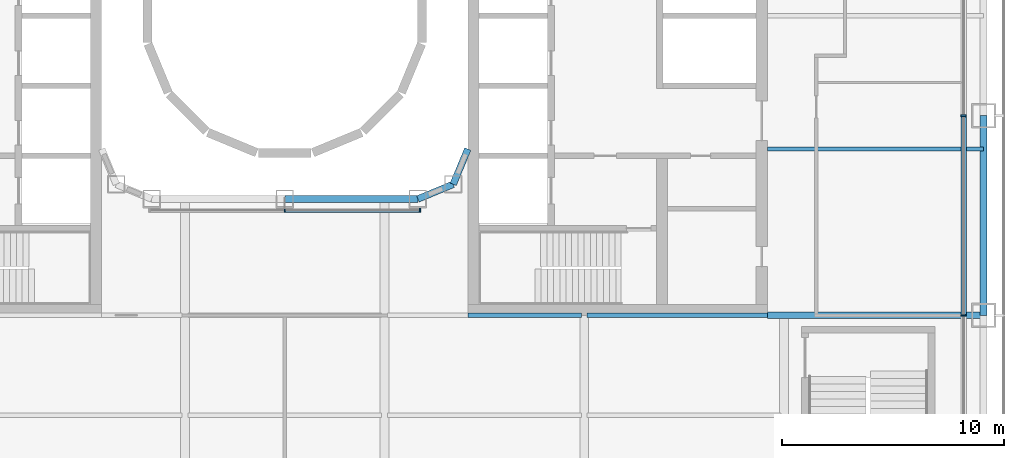
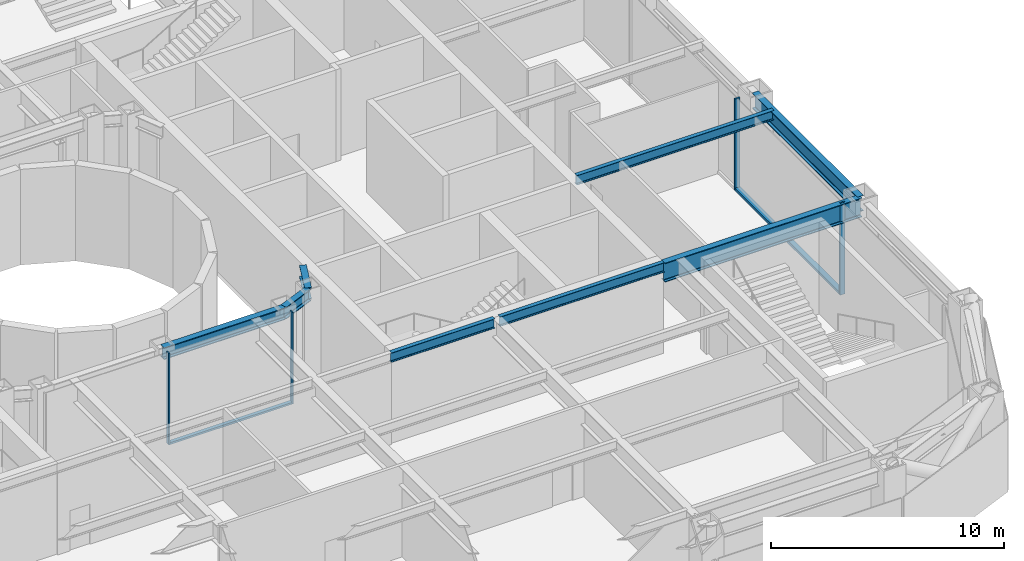
# One storey, part 5 of 25: 8 beams, 6 members, 2 elements without a shape of their own.
"""IFC4 building model written with IfcOpenShell, lengths in metres."""

import ifcopenshell
import ifcopenshell.guid

model = None  # the IFC model being written
_history = None  # IfcOwnerHistory: only IFC2X3 demands one
_inside = {}  # id of a spatial element -> (the spatial element, [elements in it])
_under = {}  # id of a project, library or spatial element -> (it, [spatial elements below it])
_declared = {}  # id of a project -> (the project, [libraries it declares])
_typed = {}  # id of a type object -> (the type object, [elements of that type])
_made_of = {}  # id of a material, layer set ... -> (it, [elements and type objects made of it])


def new_model(schema):
    """Start an empty IFC model of exactly this schema.

    Asked for "IFC4X3", IfcOpenShell would pick the latest addendum, in which some entities
    have other attributes; the version numbers below select the first issue.
    IFC2X3 requires an IfcOwnerHistory on every rooted entity: one is made here for all.
    """
    global model, _history
    if schema == "IFC4X3":
        model = ifcopenshell.file(schema_version=(4, 3, 0, 0))
    else:
        model = ifcopenshell.file(schema=schema)
    _inside.clear()
    _under.clear()
    _declared.clear()
    _typed.clear()
    _made_of.clear()
    _history = None
    if model.schema == "IFC2X3":
        org = make("IfcOrganization", Name="unknown")
        user = make(
            "IfcPersonAndOrganization",
            ThePerson=make("IfcPerson", FamilyName="unknown"),
            TheOrganization=org,
        )
        app = make(
            "IfcApplication",
            ApplicationDeveloper=org,
            Version="unknown",
            ApplicationFullName="unknown",
            ApplicationIdentifier="unknown",
        )
        _history = make(
            "IfcOwnerHistory",
            OwningUser=user,
            OwningApplication=app,
            ChangeAction="ADDED",
            CreationDate=0,
        )
    return model


def make(cls, **values):
    """One entity of the class cls with the attributes given. An attribute that is None is left unset."""
    return model.create_entity(
        cls, **{name: value for name, value in values.items() if value is not None}
    )


def rooted(cls, **values):
    """An entity with a GlobalId (a new one), such as an element, a storey or a relation."""
    return make(cls, GlobalId=ifcopenshell.guid.new(), OwnerHistory=_history, **values)


def si_unit(unit_type, name, prefix=None):
    """IfcSIUnit, for example si_unit("LENGTHUNIT", "METRE", prefix="MILLI")."""
    return make("IfcSIUnit", UnitType=unit_type, Prefix=prefix, Name=name)


def assignment(units):
    """IfcUnitAssignment: the units of a project."""
    return None if units is None else make("IfcUnitAssignment", Units=units)


def point(xyz):
    """IfcCartesianPoint."""
    return None if xyz is None else make("IfcCartesianPoint", Coordinates=xyz)


def direction(xyz):
    """IfcDirection."""
    return None if xyz is None else make("IfcDirection", DirectionRatios=xyz)


def frame(location, z_axis=None, x_axis=None):
    """IfcAxis2Placement3D, a coordinate frame: its origin and axes. An axis left out is left unset."""
    return make(
        "IfcAxis2Placement3D",
        Location=point(location),
        Axis=direction(z_axis),
        RefDirection=direction(x_axis),
    )


def frame_2d(location, x_axis=None):
    """IfcAxis2Placement2D, a coordinate frame in the plane: its origin and x axis."""
    return make(
        "IfcAxis2Placement2D", Location=point(location), RefDirection=direction(x_axis)
    )


def origin():
    """The frame at (0, 0, 0) with its axes left unset."""
    return frame((0.0, 0.0, 0.0))


def origin_2d():
    """The frame at (0, 0) in the plane with its x axis left unset."""
    return frame_2d((0.0, 0.0))


def place(relative_to, where):
    """IfcLocalPlacement: puts the frame where relative to a parent placement (None: the world)."""
    return make(
        "IfcLocalPlacement", PlacementRelTo=relative_to, RelativePlacement=where
    )


def context(
    kind, dimensions, precision=None, world=None, true_north=None, identifier=None
):
    """IfcGeometricRepresentationContext, for example the 3D "Model" context."""
    return make(
        "IfcGeometricRepresentationContext",
        ContextIdentifier=identifier,
        ContextType=kind,
        CoordinateSpaceDimension=dimensions,
        Precision=precision,
        WorldCoordinateSystem=world,
        TrueNorth=true_north,
    )


def subcontext(parent, identifier, kind, view, scale=None):
    """IfcGeometricRepresentationSubContext, for example "Body" below "Model"."""
    return make(
        "IfcGeometricRepresentationSubContext",
        ContextIdentifier=identifier,
        ContextType=kind,
        ParentContext=parent,
        TargetScale=scale,
        TargetView=view,
    )


def project(units=None, contexts=None):
    """IfcProject with its units and contexts."""
    return rooted(
        "IfcProject",
        Name="project",
        RepresentationContexts=contexts,
        UnitsInContext=assignment(units),
    )


def spatial(cls, under=None, at=None, **own):
    """A site, building, storey or space (cls), placed at a placement, below another one or the project."""
    s = rooted(cls, ObjectPlacement=at, **own)
    if under is not None:
        _under.setdefault(under.id(), (under, []))[1].append(s)
    return s


def profile(cls, at=None, kind="AREA", **sizes):
    """A parametric profile (cls). Its sizes go by their IFC names, for example OverallWidth=200.0."""
    return make(cls, ProfileType=kind, Position=at, **sizes)


def rectangle(**sizes):
    """IfcRectangleProfileDef."""
    return profile("IfcRectangleProfileDef", **sizes)


def i_section(**sizes):
    """IfcIShapeProfileDef."""
    return profile("IfcIShapeProfileDef", **sizes)


def extrude(swept, where, along, depth):
    """IfcExtrudedAreaSolid: the profile swept, set in the frame where, extruded along a direction by depth."""
    return make(
        "IfcExtrudedAreaSolid",
        SweptArea=swept,
        Position=where,
        ExtrudedDirection=direction(along),
        Depth=depth,
    )


def shape(context_of_items, identifier, shape_type, items):
    """IfcShapeRepresentation: the items that make up one representation, for example the "Body"."""
    return make(
        "IfcShapeRepresentation",
        ContextOfItems=context_of_items,
        RepresentationIdentifier=identifier,
        RepresentationType=shape_type,
        Items=items,
    )


def material(Name=None, Category=None):
    """IfcMaterial."""
    return make("IfcMaterial", Name=Name, Category=Category)


def layer(
    of_material, thickness, ventilated=None, Name=None, Category=None, Priority=None
):
    """IfcMaterialLayer: one layer of a wall or slab, of a material (None: an air gap)."""
    return make(
        "IfcMaterialLayer",
        Material=of_material,
        LayerThickness=thickness,
        IsVentilated=ventilated,
        Name=Name,
        Category=Category,
        Priority=Priority,
    )


def layer_set(layers, Name=None):
    """IfcMaterialLayerSet."""
    return make("IfcMaterialLayerSet", MaterialLayers=layers, LayerSetName=Name)


def material_profile(
    of_material, cross_section, Name=None, Category=None, Priority=None
):
    """IfcMaterialProfile: a cross section and its material."""
    return make(
        "IfcMaterialProfile",
        Name=Name,
        Material=of_material,
        Profile=cross_section,
        Priority=Priority,
        Category=Category,
    )


def profile_set(profiles, Name=None, composite=None):
    """IfcMaterialProfileSet."""
    return make(
        "IfcMaterialProfileSet",
        Name=Name,
        MaterialProfiles=profiles,
        CompositeProfile=composite,
    )


def made_of(thing, what):
    """Note that an element or type object is made of a material, layer set ...; save() writes the relation."""
    if what is not None:
        _made_of.setdefault(what.id(), (what, []))[1].append(thing)
    return thing


def type_object(cls, material=None, **own):
    """A type object (cls), such as IfcWallType, which elements share."""
    return made_of(rooted(cls, **own), material)


def element(
    cls,
    number,
    at=None,
    inside=None,
    cuts=None,
    type_object=None,
    material=None,
    context=None,
    identifier="Body",
    shape_type=None,
    held_by="IfcProductDefinitionShape",
    body=None,
    shapes=None,
    **own,
):
    """One element of the class cls, such as IfcWall. Its Tag is "e" and its number.

    at: its placement. inside: the storey or other place that contains it. cuts: it is an
    opening in that element (IfcRelVoidsElement). A single representation is given by context,
    identifier, shape_type and body (its items); several are given by shapes. held_by: the class
    of the entity that holds the representations. save() writes the other relations.
    """
    e = rooted(cls, Tag="e%d" % number, ObjectPlacement=at, **own)
    if body is not None:
        shapes = [shape(context, identifier, shape_type, body)]
    if shapes is not None:
        e.Representation = make(held_by, Representations=shapes)
    if inside is not None:
        _inside.setdefault(inside.id(), (inside, []))[1].append(e)
    if cuts is not None:
        rooted(
            "IfcRelVoidsElement", RelatingBuildingElement=cuts, RelatedOpeningElement=e
        )
    if type_object is not None:
        _typed.setdefault(type_object.id(), (type_object, []))[1].append(e)
    return made_of(e, material)


def aggregate(whole, parts):
    """IfcRelAggregates: a whole, such as a stair, and the parts it consists of."""
    return rooted("IfcRelAggregates", RelatingObject=whole, RelatedObjects=parts)


def save(model, path):
    """Write the relations noted so far, then the file.

    IfcRelAggregates (storeys below a building ...), IfcRelContainedInSpatialStructure (elements
    in a storey), IfcRelDefinesByType, IfcRelAssociatesMaterial and IfcRelDeclares: one each for
    every whole, place, type object, material and project.
    """
    for whole, parts in _under.values():
        aggregate(whole, parts)
    for where, things in _inside.values():
        rooted(
            "IfcRelContainedInSpatialStructure",
            RelatedElements=things,
            RelatingStructure=where,
        )
    for kind, things in _typed.values():
        rooted("IfcRelDefinesByType", RelatedObjects=things, RelatingType=kind)
    for what, things in _made_of.values():
        rooted("IfcRelAssociatesMaterial", RelatedObjects=things, RelatingMaterial=what)
    for by, libraries in _declared.values():
        rooted("IfcRelDeclares", RelatingContext=by, RelatedDefinitions=libraries)
    model.write(path)


model = new_model("IFC4")

# Units and contexts
model_context = context("Model", 3, precision=1e-05, world=origin(), true_north=direction((0.0, 1.0)))
body_context = subcontext(model_context, "Body", "Model", "MODEL_VIEW")
ifc_project = project(units=[si_unit("LENGTHUNIT", "METRE"), si_unit("AREAUNIT", "SQUARE_METRE"), si_unit("VOLUMEUNIT", "CUBIC_METRE"), si_unit("PLANEANGLEUNIT", "RADIAN"), si_unit("MASSUNIT", "GRAM", prefix="KILO")], contexts=[model_context])

# Site, building, storey
site_placement = place(None, origin())
site = spatial("IfcSite", under=ifc_project, at=site_placement, CompositionType="ELEMENT")
building_placement = place(site_placement, origin())
building = spatial("IfcBuilding", under=site, at=building_placement, Name="Siwar Civic Tower", CompositionType="ELEMENT")
storey_placement = place(building_placement, frame((0.0, 0.0, 7.199951171875)))
storey = spatial("IfcBuildingStorey", under=building, at=storey_placement, Name="L01", CompositionType="ELEMENT", Elevation=7.199951171875)

# Curtain wall, members
ifc_material_1 = material(Name="Aluminium and glass", Category="aluminium")
ifc_layer_1 = layer(ifc_material_1, 0.25)
ifc_layer_set_1 = layer_set([ifc_layer_1], Name="Aluminium and glass")
curtain_wall_type_1 = type_object("IfcCurtainWallType", Name="ENV-CW-H", PredefinedType="NOTDEFINED", material=ifc_layer_set_1)
curtain_wall_1_placement = place(storey_placement, origin())
curtain_wall_1 = element("IfcCurtainWall", 1, at=curtain_wall_1_placement, inside=storey, type_object=curtain_wall_type_1, Name="Curtain wall H E", PredefinedType="NOTDEFINED")
ifc_material_2 = material(Name="Aluminium 6063-T6", Category="aluminium")
ifc_material_profile_1 = material_profile(ifc_material_2, rectangle(XDim=0.25, YDim=0.080078125, at=origin_2d()), Name="AL 250x80")
ifc_profile_set_1 = profile_set([ifc_material_profile_1], Name="Aluminium 6063-T6")
member_type_1 = type_object("IfcMemberType", Name="ENV-MULLION-H", PredefinedType="MULLION", material=ifc_profile_set_1)
member_1_placement = place(storey_placement, frame((30.60009765625, -13.5, 0.0), z_axis=(0.0, 0.0, 1.0), x_axis=(-1.0, 0.0, 0.0)))
member_1 = element("IfcMember", 2, at=member_1_placement, type_object=member_type_1, Name="Mullion H E 2", PredefinedType="MULLION", context=body_context, shape_type="SweptSolid", body=[
    extrude(rectangle(XDim=0.25, YDim=0.080078125, at=origin_2d()), origin(), (0.0, 0.0, 1.0), 4.800048828125),
])
member_2_placement = place(storey_placement, frame((30.60009765625, -4.5, 0.0), z_axis=(0.0, 0.0, 1.0), x_axis=(-1.0, 0.0, 0.0)))
member_2 = element("IfcMember", 3, at=member_2_placement, type_object=member_type_1, Name="Mullion H E 3", PredefinedType="MULLION", context=body_context, shape_type="SweptSolid", body=[
    extrude(rectangle(XDim=0.25, YDim=0.080078125, at=origin_2d()), origin(), (0.0, 0.0, 1.0), 4.800048828125),
])

ifc_material_3 = material(Name="Aluminium and glass", Category="aluminium")
ifc_layer_2 = layer(ifc_material_3, 0.179931640625)
ifc_layer_set_2 = layer_set([ifc_layer_2], Name="Aluminium and glass")
curtain_wall_type_2 = type_object("IfcCurtainWallType", Name="ENV-CW-W", PredefinedType="NOTDEFINED", material=ifc_layer_set_2)
curtain_wall_2_placement = place(storey_placement, origin())
curtain_wall_2 = element("IfcCurtainWall", 4, at=curtain_wall_2_placement, inside=storey, type_object=curtain_wall_type_2, Name="Curtain wall W WS", PredefinedType="NOTDEFINED")
ifc_material_4 = material(Name="Aluminium 6063-T6", Category="aluminium")
ifc_material_profile_2 = material_profile(ifc_material_4, rectangle(XDim=0.179931640625, YDim=0.06005859375, at=origin_2d()), Name="AL 180x60")
ifc_profile_set_2 = profile_set([ifc_material_profile_2], Name="Aluminium 6063-T6")
member_type_2 = type_object("IfcMemberType", Name="ENV-MULLION-W", PredefinedType="MULLION", material=ifc_profile_set_2)
member_3_placement = place(storey_placement, frame((0.0, -8.760009765625, 0.0), z_axis=(0.0, 0.0, 1.0), x_axis=(0.0, 1.0, 0.0)))
member_3 = element("IfcMember", 5, at=member_3_placement, type_object=member_type_2, Name="Mullion W WS 2", PredefinedType="MULLION", context=body_context, shape_type="SweptSolid", body=[
    extrude(rectangle(XDim=0.179931640625, YDim=0.06005859375, at=origin_2d()), origin(), (0.0, 0.0, 1.0), 4.800048828125),
])
member_4_placement = place(storey_placement, frame((6.1015625, -8.760009765625, 0.0), z_axis=(0.0, 0.0, 1.0), x_axis=(0.0, 1.0, 0.0)))
member_4 = element("IfcMember", 6, at=member_4_placement, type_object=member_type_2, Name="Mullion W WS 3", PredefinedType="MULLION", context=body_context, shape_type="SweptSolid", body=[
    extrude(rectangle(XDim=0.179931640625, YDim=0.06005859375, at=origin_2d()), origin(), (0.0, 0.0, 1.0), 4.800048828125),
])

# Member
ifc_material_5 = material(Name="Aluminium 6063-T6", Category="aluminium")
ifc_material_profile_3 = material_profile(ifc_material_5, rectangle(XDim=0.25, YDim=0.139892578125, at=origin_2d()), Name="AL 250x140")
ifc_profile_set_3 = profile_set([ifc_material_profile_3], Name="Aluminium 6063-T6")
member_type_3 = type_object("IfcMemberType", Name="ENV-TRANSOM-H", PredefinedType="USERDEFINED", material=ifc_profile_set_3)
member_5_placement = place(storey_placement, frame((30.60009765625, -13.4599609375, 0.070068359375), z_axis=(0.0, 1.0, 0.0), x_axis=(-1.0, 0.0, 0.0)))
member_5 = element("IfcMember", 7, at=member_5_placement, type_object=member_type_3, Name="Transom H E 2", ObjectType="TRANSOM", PredefinedType="USERDEFINED", context=body_context, shape_type="SweptSolid", body=[
    extrude(rectangle(XDim=0.25, YDim=0.139892578125, at=origin_2d()), origin(), (0.0, 0.0, 1.0), 8.919921875),
])

aggregate(curtain_wall_1, [member_1, member_2, member_5])

ifc_material_6 = material(Name="Aluminium 6063-T6", Category="aluminium")
ifc_material_profile_4 = material_profile(ifc_material_6, rectangle(XDim=0.179931640625, YDim=0.10009765625, at=origin_2d()), Name="AL 180x100")
ifc_profile_set_4 = profile_set([ifc_material_profile_4], Name="Aluminium 6063-T6")
member_type_4 = type_object("IfcMemberType", Name="ENV-TRANSOM-W", PredefinedType="USERDEFINED", material=ifc_profile_set_4)
member_6_placement = place(storey_placement, frame((0.030029296875, -8.760009765625, 0.050048828125), z_axis=(1.0, 0.0, 0.0), x_axis=(0.0, 1.0, 0.0)))
member_6 = element("IfcMember", 8, at=member_6_placement, type_object=member_type_4, Name="Transom W WS 2", ObjectType="TRANSOM", PredefinedType="USERDEFINED", context=body_context, shape_type="SweptSolid", body=[
    extrude(rectangle(XDim=0.179931640625, YDim=0.10009765625, at=origin_2d()), origin(), (0.0, 0.0, 1.0), 6.04150390625),
])

aggregate(curtain_wall_2, [member_3, member_4, member_6])

# Beams
ifc_material_7 = material(Name="Steel S355", Category="steel")
ifc_material_profile_5 = material_profile(ifc_material_7, i_section(OverallWidth=0.199951171875, OverallDepth=0.5, WebThickness=0.01025390625, FlangeThickness=0.01611328125, FilletRadius=0.02099609375, at=origin_2d()), Name="IPE500")
ifc_profile_set_5 = profile_set([ifc_material_profile_5], Name="Steel S355")
beam_type_1 = type_object("IfcBeamType", Name="STR-FB-IPE500", PredefinedType="JOIST", material=ifc_profile_set_5)
beam_1_placement = place(storey_placement, frame((8.25, -13.5, 4.550048828125), z_axis=(1.0, 0.0, 0.0), x_axis=(0.0, 1.0, 0.0)))
element("IfcBeam", 9, at=beam_1_placement, inside=storey, type_object=beam_type_1, Name="L01/bm/F026", PredefinedType="JOIST", context=body_context, shape_type="SweptSolid", body=[
    extrude(i_section(OverallWidth=0.199951171875, OverallDepth=0.5, WebThickness=0.01025390625, FlangeThickness=0.01611328125, FilletRadius=0.02099609375, at=origin_2d()), origin(), (0.0, 0.0, 1.0), 5.1201171875),
])
beam_2_placement = place(storey_placement, frame((13.6298828125, -13.5, 4.550048828125), z_axis=(1.0, 0.0, 0.0), x_axis=(0.0, 1.0, 0.0)))
element("IfcBeam", 10, at=beam_2_placement, inside=storey, type_object=beam_type_1, Name="L01/bm/F027", PredefinedType="JOIST", context=body_context, shape_type="SweptSolid", body=[
    extrude(i_section(OverallWidth=0.199951171875, OverallDepth=0.5, WebThickness=0.01025390625, FlangeThickness=0.01611328125, FilletRadius=0.02099609375, at=origin_2d()), origin(), (0.0, 0.0, 1.0), 8.1201171875),
])
beam_3_placement = place(storey_placement, frame((21.75, -6.0, 4.550048828125), z_axis=(1.0, 0.0, 0.0), x_axis=(0.0, 1.0, 0.0)))
element("IfcBeam", 11, at=beam_3_placement, inside=storey, type_object=beam_type_1, Name="L01/bm/F030", PredefinedType="JOIST", context=body_context, shape_type="SweptSolid", body=[
    extrude(i_section(OverallWidth=0.199951171875, OverallDepth=0.5, WebThickness=0.01025390625, FlangeThickness=0.01611328125, FilletRadius=0.02099609375, at=origin_2d()), origin(), (0.0, 0.0, 1.0), 9.75),
])
ifc_material_8 = material(Name="Steel S355", Category="steel")
ifc_material_profile_6 = material_profile(ifc_material_8, i_section(OverallWidth=0.300048828125, OverallDepth=1.0, WebThickness=0.01904296875, FlangeThickness=0.035888671875, FilletRadius=0.030029296875, at=origin_2d()), Name="HEB1000")
ifc_profile_set_6 = profile_set([ifc_material_profile_6], Name="Steel S355")
beam_type_2 = type_object("IfcBeamType", Name="STR-PG-HEB1000", PredefinedType="BEAM", material=ifc_profile_set_6)
beam_4_placement = place(storey_placement, frame((21.75, -13.5, 4.300048828125), z_axis=(1.0, 0.0, 0.0), x_axis=(0.0, 1.0, 0.0)))
element("IfcBeam", 12, at=beam_4_placement, inside=storey, type_object=beam_type_2, Name="L01/bm/F028", PredefinedType="BEAM", context=body_context, shape_type="SweptSolid", body=[
    extrude(i_section(OverallWidth=0.300048828125, OverallDepth=1.0, WebThickness=0.01904296875, FlangeThickness=0.035888671875, FilletRadius=0.030029296875, at=origin_2d()), origin(), (0.0, 0.0, 1.0), 9.75),
])
ifc_material_9 = material(Name="Steel S355", Category="steel")
ifc_material_profile_7 = material_profile(ifc_material_9, i_section(OverallWidth=0.304931640625, OverallDepth=0.6201171875, WebThickness=0.02099609375, FlangeThickness=0.0400390625, FilletRadius=0.027099609375, at=origin_2d()), Name="HEM600")
ifc_profile_set_7 = profile_set([ifc_material_profile_7], Name="Steel S355")
beam_type_3 = type_object("IfcBeamType", Name="STR-RB-HEM600", PredefinedType="BEAM", material=ifc_profile_set_7)
beam_5_placement = place(storey_placement, frame((0.0, -8.25, 4.489990234375), z_axis=(1.0, 0.0, 0.0), x_axis=(0.0, 1.0, 0.0)))
element("IfcBeam", 13, at=beam_5_placement, inside=storey, type_object=beam_type_3, Name="L01/bm/RS2", PredefinedType="BEAM", context=body_context, shape_type="SweptSolid", body=[
    extrude(i_section(OverallWidth=0.304931640625, OverallDepth=0.6201171875, WebThickness=0.02099609375, FlangeThickness=0.0400390625, FilletRadius=0.027099609375, at=origin_2d()), origin(), (0.0, 0.0, 1.0), 6.0),
])
for number, where, z_axis, x_axis, name in (
    (14, (6.0, -8.25, 4.489990234375), (0.923901072997, 0.382631424892, 0.0), (-0.382631424892, 0.923901072997, 0.0), "L01/bm/RS3"),
    (15, (7.591064453125, -7.591064453125, 4.489990234375), (0.382631424892, 0.923901072997, 0.0), (-0.923901072997, 0.382631424892, 0.0), "L01/bm/RSEE"),
):
    element("IfcBeam", number, at=place(storey_placement, frame(where, z_axis=z_axis, x_axis=x_axis)), inside=storey, type_object=beam_type_3, Name=name, PredefinedType="BEAM", context=body_context, shape_type="SweptSolid", body=[
        extrude(i_section(OverallWidth=0.304931640625, OverallDepth=0.6201171875, WebThickness=0.02099609375, FlangeThickness=0.0400390625, FilletRadius=0.027099609375, at=origin_2d()), origin(), (0.0, 0.0, 1.0), 1.72216796875),
    ])
ifc_material_10 = material(Name="Steel S355", Category="steel")
ifc_material_profile_8 = material_profile(ifc_material_10, i_section(OverallWidth=0.302978515625, OverallDepth=0.81396484375, WebThickness=0.02099609375, FlangeThickness=0.0400390625, FilletRadius=0.030029296875, at=origin_2d()), Name="HEM800")
ifc_profile_set_8 = profile_set([ifc_material_profile_8], Name="Steel S355")
beam_type_4 = type_object("IfcBeamType", Name="STR-SB-HEM800", PredefinedType="BEAM", material=ifc_profile_set_8)
beam_6_placement = place(storey_placement, frame((31.5, -13.5, 4.39306640625), z_axis=(0.0, 1.0, 0.0), x_axis=(-1.0, 0.0, 0.0)))
element("IfcBeam", 16, at=beam_6_placement, inside=storey, type_object=beam_type_4, Name="L01/bm/SE-1", PredefinedType="BEAM", context=body_context, shape_type="SweptSolid", body=[
    extrude(i_section(OverallWidth=0.302978515625, OverallDepth=0.81396484375, WebThickness=0.02099609375, FlangeThickness=0.0400390625, FilletRadius=0.030029296875, at=origin_2d()), origin(), (0.0, 0.0, 1.0), 9.0),
])

save(model, "model.ifc")
